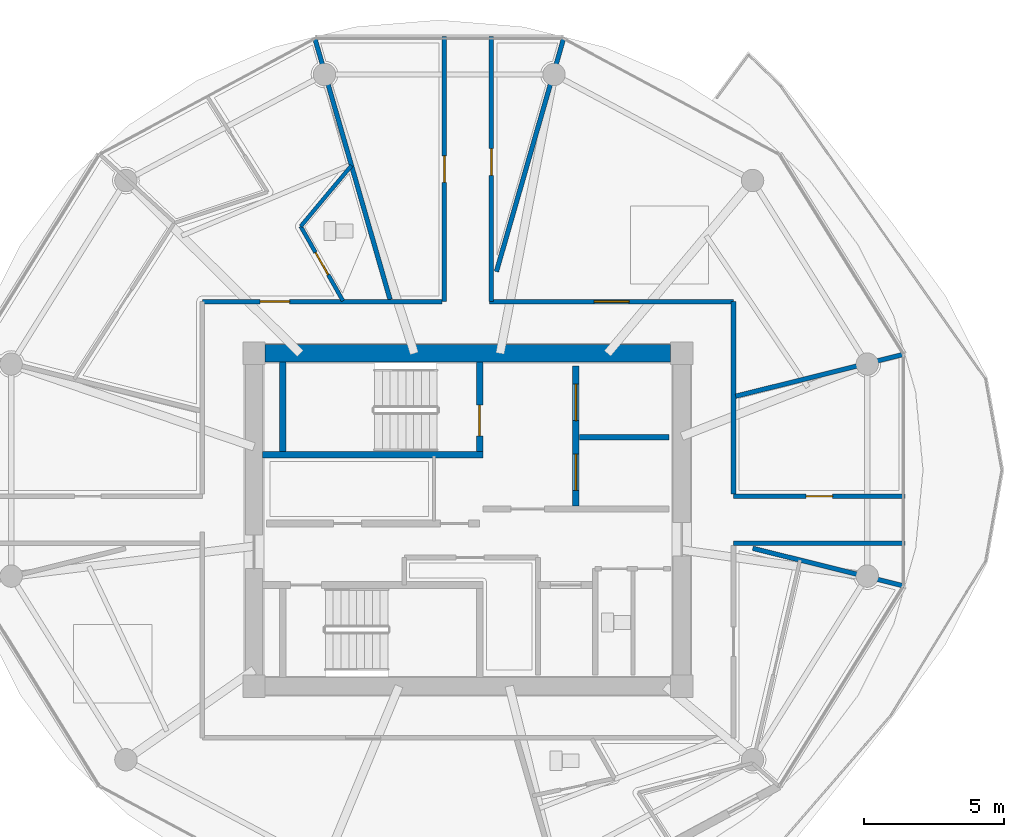
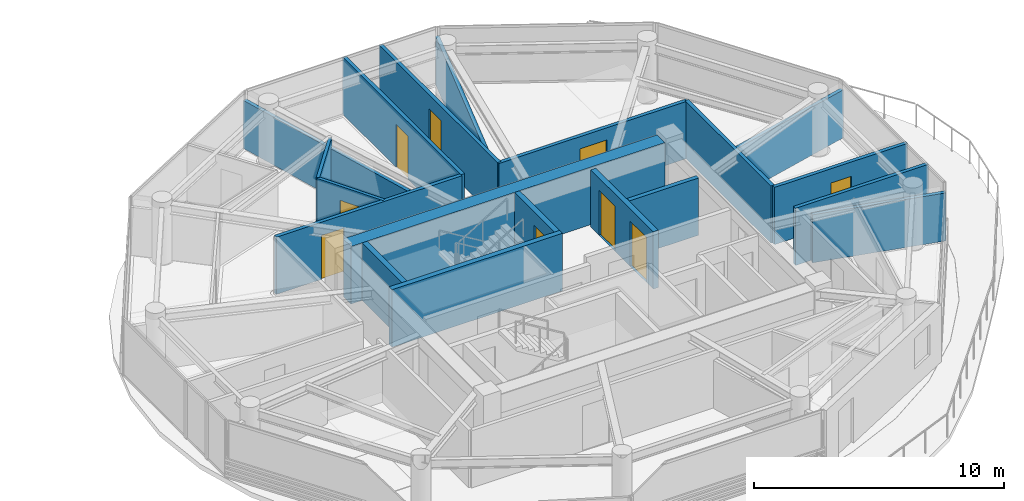
# One storey, part 17 of 25: 19 walls, 9 doors, 9 openings.
"""IFC4 building model written with IfcOpenShell, lengths in metres."""

from ifc_helpers import new_model, si_unit, direction, frame, frame_2d, origin, place, context, subcontext, project, spatial, rectangle, extrude, source, transform, mapped, material, layer, layer_set, type_object, type_shapes, element, fill, save


model = new_model("IFC4")

# Units and contexts
model_context = context("Model", 3, precision=1e-05, world=origin(), true_north=direction((0.0, 1.0)))
body_context = subcontext(model_context, "Body", "Model", "MODEL_VIEW")
ifc_project = project(units=[si_unit("LENGTHUNIT", "METRE"), si_unit("AREAUNIT", "SQUARE_METRE"), si_unit("VOLUMEUNIT", "CUBIC_METRE"), si_unit("PLANEANGLEUNIT", "RADIAN"), si_unit("MASSUNIT", "GRAM", prefix="KILO")], contexts=[model_context])

# Site, building, storey
site_placement = place(None, origin())
site = spatial("IfcSite", under=ifc_project, at=site_placement, CompositionType="ELEMENT")
building_placement = place(site_placement, origin())
building = spatial("IfcBuilding", under=site, at=building_placement, Name="Norrkilde Senior Care Towers", CompositionType="ELEMENT")
storey_placement = place(building_placement, frame((0.0, 0.0, 161.75)))
storey = spatial("IfcBuildingStorey", under=building, at=storey_placement, Name="L50", CompositionType="ELEMENT", Elevation=161.75)

# Walls
ifc_material_1 = material(Name="Concrete C50/60", Category="concrete")
ifc_layer_1 = layer(ifc_material_1, 0.6201171875)
ifc_layer_set_1 = layer_set([ifc_layer_1], Name="Concrete C50/60")
wall_type_1 = type_object("IfcWallType", Name="Core Shear Wall Z3 620", PredefinedType="SHEAR", material=ifc_layer_set_1)
shared_shape_1 = source(origin(), body_context, "Body", "SweptSolid", [
    extrude(rectangle(XDim=14.5, YDim=0.6201171875, at=frame_2d((7.25, 0.0))), origin(), (0.0, 0.0, 1.0), 2.81005859375),
])
type_shapes(wall_type_1, [shared_shape_1])
wall_1_placement = place(storey_placement, frame((20.75, 5.949951171875, 0.0), z_axis=(0.0, 0.0, 1.0), x_axis=(1.0, 0.0, 0.0)))
element("IfcWall", 1, at=wall_1_placement, inside=storey, type_object=wall_type_1, Name="L50 Core E North Shear Wall", PredefinedType="SHEAR", context=body_context, shape_type="MappedRepresentation", body=[
    mapped(shared_shape_1, transform((0.0, 0.0, 0.0), x_axis=(1.0, 0.0, 0.0), y_axis=(0.0, 1.0, 0.0), z_axis=(0.0, 0.0, 1.0), scale=1.0)),
])
ifc_material_2 = material(Name="Concrete C45/55", Category="concrete")
ifc_layer_2 = layer(ifc_material_2, 0.239990234375)
ifc_layer_set_2 = layer_set([ifc_layer_2], Name="Concrete C45/55")
wall_type_2 = type_object("IfcWallType", Name="Shaft and Stair Enclosure Wall 240", PredefinedType="PARTITIONING", material=ifc_layer_set_2)
shared_shape_2 = source(origin(), body_context, "Body", "SweptSolid", [
    extrude(rectangle(XDim=7.880126953125, YDim=0.239990234375, at=frame_2d((3.93994140625, 0.0))), origin(), (0.0, 0.0, 1.0), 2.81005859375),
])
wall_2_placement = place(storey_placement, frame((20.659912109375, 2.330078125, 0.0), z_axis=(0.0, 0.0, 1.0), x_axis=(1.0, 0.0, 0.0)))
element("IfcWall", 2, at=wall_2_placement, inside=storey, type_object=wall_type_2, Name="WL-INT-L50-E-ST1S", PredefinedType="PARTITIONING", context=body_context, shape_type="MappedRepresentation", body=[
    mapped(shared_shape_2, transform((0.0, 0.0, 0.0), x_axis=(1.0, 0.0, 0.0), y_axis=(0.0, 1.0, 0.0), z_axis=(0.0, 0.0, 1.0), scale=1.0)),
])
shared_shape_3 = source(origin(), body_context, "Body", "SweptSolid", [
    extrude(rectangle(XDim=3.18994140625, YDim=0.239990234375, at=frame_2d((1.594970703125, 0.0))), origin(), (0.0, 0.0, 1.0), 2.81005859375),
])
type_shapes(wall_type_2, [shared_shape_2, shared_shape_3])
wall_3_placement = place(storey_placement, frame((21.3798828125, 2.449951171875, 0.0), z_axis=(0.0, 0.0, 1.0), x_axis=(0.0, 1.0, 0.0)))
element("IfcWall", 3, at=wall_3_placement, inside=storey, type_object=wall_type_2, Name="WL-INT-L50-E-ST1W", PredefinedType="PARTITIONING", context=body_context, shape_type="MappedRepresentation", body=[
    mapped(shared_shape_3, transform((0.0, 0.0, 0.0), x_axis=(1.0, 0.0, 0.0), y_axis=(0.0, 1.0, 0.0), z_axis=(0.0, 0.0, 1.0), scale=1.0)),
])

# Wall, opening, door
wall_4_placement = place(storey_placement, frame((28.419921875, 2.449951171875, 0.0), z_axis=(0.0, 0.0, 1.0), x_axis=(0.0, 1.0, 0.0)))
wall_4 = element("IfcWall", 4, at=wall_4_placement, inside=storey, type_object=wall_type_2, Name="WL-INT-L50-E-ST1E", PredefinedType="PARTITIONING", context=body_context, shape_type="MappedRepresentation", body=[
    mapped(shared_shape_3, transform((0.0, 0.0, 0.0), x_axis=(1.0, 0.0, 0.0), y_axis=(0.0, 1.0, 0.0), z_axis=(0.0, 0.0, 1.0), scale=1.0)),
])
opening_1_placement = place(wall_4_placement, frame((0.550048828125, 0.0, 0.0)))
opening_1 = element("IfcOpeningElement", 5, at=opening_1_placement, cuts=wall_4, Name="Opening D-03", PredefinedType="OPENING", context=body_context, shape_type="SweptSolid", body=[
    extrude(rectangle(XDim=1.10009765625, YDim=2.14990234375, at=frame_2d((0.550048828125, 1.074951171875))), frame((0.0, 0.1298828125, 0.0), z_axis=(0.0, -1.0, 0.0), x_axis=(1.0, 0.0, 0.0)), (0.0, 0.0, 1.0), 0.260009765625),
])
ifc_material_3 = material(Name="Galvanised Painted Steel", Category="steel")
door_type_1 = type_object("IfcDoorType", Name="Stairwell Protected Fire Door 1100x2150", OperationType="NOTDEFINED", PredefinedType="DOOR", material=ifc_material_3)
shared_shape_4 = source(origin(), body_context, "Body", "SweptSolid", [
    extrude(rectangle(XDim=1.10009765625, YDim=2.14990234375, at=frame_2d((0.550048828125, 1.074951171875))), frame((0.0, 0.02490234375, 0.0), z_axis=(0.0, -1.0, 0.0), x_axis=(1.0, 0.0, 0.0)), (0.0, 0.0, 1.0), 0.050048828125),
])
type_shapes(door_type_1, [shared_shape_4])
door_1_placement = place(opening_1_placement, origin())
door_1 = element("IfcDoor", 6, at=door_1_placement, inside=storey, type_object=door_type_1, Name="L50 Stair E1 Fire Door", OperationType="SINGLE_SWING_LEFT", OverallHeight=2.14990234375, OverallWidth=1.10009765625, PredefinedType="DOOR", context=body_context, shape_type="MappedRepresentation", body=[
    mapped(shared_shape_4, transform((0.0, 0.0, 0.0), x_axis=(1.0, 0.0, 0.0), y_axis=(0.0, 1.0, 0.0), z_axis=(0.0, 0.0, 1.0), scale=1.0)),
])
fill(opening_1, door_1)

# Wall, openings, doors
ifc_layer_3 = layer(ifc_material_2, 0.239990234375)
ifc_layer_set_3 = layer_set([ifc_layer_3], Name="Concrete C45/55")
wall_type_3 = type_object("IfcWallType", Name="Lift and Plant Rated Enclosure Partition 240", PredefinedType="PARTITIONING", material=ifc_layer_set_3)
shared_shape_5 = source(origin(), body_context, "Body", "SweptSolid", [
    extrude(rectangle(XDim=5.0, YDim=0.239990234375, at=frame_2d((2.5, 0.0))), origin(), (0.0, 0.0, 1.0), 2.794921875),
])
type_shapes(wall_type_3, [shared_shape_5])
wall_5_placement = place(storey_placement, frame((31.860107421875, 0.5, 0.0), z_axis=(0.0, 0.0, 1.0), x_axis=(0.0, 1.0, 0.0)))
wall_5 = element("IfcWall", 7, at=wall_5_placement, inside=storey, type_object=wall_type_3, Name="WL-INT-L50-E-FFLE", PredefinedType="PARTITIONING", context=body_context, shape_type="MappedRepresentation", body=[
    mapped(shared_shape_5, transform((0.0, 0.0, 0.0), x_axis=(1.0, 0.0, 0.0), y_axis=(0.0, 1.0, 0.0), z_axis=(0.0, 0.0, 1.0), scale=1.0)),
])
opening_2_placement = place(wall_5_placement, frame((3.050048828125, 0.0, 0.0)))
opening_2 = element("IfcOpeningElement", 8, at=opening_2_placement, cuts=wall_5, Name="Opening LD-02", PredefinedType="OPENING", context=body_context, shape_type="SweptSolid", body=[
    extrude(rectangle(XDim=1.300048828125, YDim=2.199951171875, at=frame_2d((0.64990234375, 1.10009765625))), frame((0.0, 0.1298828125, 0.0), z_axis=(0.0, -1.0, 0.0), x_axis=(1.0, 0.0, 0.0)), (0.0, 0.0, 1.0), 0.260009765625),
])
opening_3_placement = place(wall_5_placement, frame((0.550048828125, 0.0, 0.0)))
opening_3 = element("IfcOpeningElement", 9, at=opening_3_placement, cuts=wall_5, Name="Opening LD-02", PredefinedType="OPENING", context=body_context, shape_type="SweptSolid", body=[
    extrude(rectangle(XDim=1.300048828125, YDim=2.199951171875, at=frame_2d((0.64990234375, 1.10009765625))), frame((0.0, 0.1298828125, 0.0), z_axis=(0.0, -1.0, 0.0), x_axis=(1.0, 0.0, 0.0)), (0.0, 0.0, 1.0), 0.260009765625),
])
ifc_material_4 = material(Name="Stainless Steel", Category="steel")
door_type_2 = type_object("IfcDoorType", Name="Stretcher and FFL Landing Sliding Door 1300x2200", OperationType="NOTDEFINED", PredefinedType="DOOR", material=ifc_material_4)
shared_shape_6 = source(origin(), body_context, "Body", "SweptSolid", [
    extrude(rectangle(XDim=1.300048828125, YDim=2.199951171875, at=frame_2d((0.64990234375, 1.10009765625))), frame((0.0, 0.02490234375, 0.0), z_axis=(0.0, -1.0, 0.0), x_axis=(1.0, 0.0, 0.0)), (0.0, 0.0, 1.0), 0.050048828125),
])
type_shapes(door_type_2, [shared_shape_6])
door_2_placement = place(opening_2_placement, origin())
door_2 = element("IfcDoor", 10, at=door_2_placement, inside=storey, type_object=door_type_2, Name="L50 Firefighting Lift E1 Landing Door", OperationType="SLIDING_TO_LEFT", OverallHeight=2.199951171875, OverallWidth=1.300048828125, PredefinedType="DOOR", context=body_context, shape_type="MappedRepresentation", body=[
    mapped(shared_shape_6, transform((0.0, 0.0, 0.0), x_axis=(1.0, 0.0, 0.0), y_axis=(0.0, 1.0, 0.0), z_axis=(0.0, 0.0, 1.0), scale=1.0)),
])
fill(opening_2, door_2)
door_3_placement = place(opening_3_placement, origin())
door_3 = element("IfcDoor", 11, at=door_3_placement, inside=storey, type_object=door_type_2, Name="L50 Stretcher Lift E1 Landing Door", OperationType="SLIDING_TO_RIGHT", OverallHeight=2.199951171875, OverallWidth=1.300048828125, PredefinedType="DOOR", context=body_context, shape_type="MappedRepresentation", body=[
    mapped(shared_shape_6, transform((0.0, 0.0, 0.0), x_axis=(1.0, 0.0, 0.0), y_axis=(0.0, 1.0, 0.0), z_axis=(0.0, 0.0, 1.0), scale=1.0)),
])
fill(opening_3, door_3)

# Walls
ifc_layer_4 = layer(ifc_material_2, 0.199951171875)
ifc_layer_set_4 = layer_set([ifc_layer_4], Name="Concrete C45/55")
wall_type_4 = type_object("IfcWallType", Name="Shaft Division and Plant Partition 200", PredefinedType="PARTITIONING", material=ifc_layer_set_4)
shared_shape_7 = source(origin(), body_context, "Body", "SweptSolid", [
    extrude(rectangle(XDim=3.199951171875, YDim=0.199951171875, at=frame_2d((1.60009765625, 0.0))), origin(), (0.0, 0.0, 1.0), 2.794921875),
])
type_shapes(wall_type_4, [shared_shape_7])
wall_6_placement = place(storey_placement, frame((32.0, 2.949951171875, 0.0), z_axis=(0.0, 0.0, 1.0), x_axis=(1.0, 0.0, 0.0)))
element("IfcWall", 12, at=wall_6_placement, inside=storey, type_object=wall_type_4, Name="WL-INT-L50-E-FFLDIV", PredefinedType="PARTITIONING", context=body_context, shape_type="MappedRepresentation", body=[
    mapped(shared_shape_7, transform((0.0, 0.0, 0.0), x_axis=(1.0, 0.0, 0.0), y_axis=(0.0, 1.0, 0.0), z_axis=(0.0, 0.0, 1.0), scale=1.0)),
])
ifc_material_5 = material(Name="Gypsum Acoustic Board")
ifc_layer_5 = layer(ifc_material_5, 0.1650390625)
ifc_layer_set_5 = layer_set([ifc_layer_5], Name="Gypsum Acoustic Board")
wall_type_5 = type_object("IfcWallType", Name="Corridor Rated Partition 165", PredefinedType="PARTITIONING", material=ifc_layer_set_5)
shared_shape_8 = source(origin(), body_context, "Body", "SweptSolid", [
    extrude(rectangle(XDim=9.73046875, YDim=0.1650390625, at=frame_2d((4.865234375, 0.0))), origin(), (0.0, 0.0, 1.0), 2.344970703125),
])
wall_7_placement = place(storey_placement, frame((25.216552734375, 7.8798828125, 0.0), z_axis=(0.0, 0.0, 1.0), x_axis=(-0.27679492614, 0.960929013436, 0.0)))
element("IfcWall", 13, at=wall_7_placement, inside=storey, type_object=wall_type_5, Name="WL-INT-L50-E-DEM-03-0", PredefinedType="PARTITIONING", context=body_context, shape_type="MappedRepresentation", body=[
    mapped(shared_shape_8, transform((0.0, 0.0, 0.0), x_axis=(1.0, 0.0, 0.0), y_axis=(0.0, 1.0, 0.0), z_axis=(0.0, 0.0, 1.0), scale=1.0)),
])

# Wall, opening, door
shared_shape_9 = source(origin(), body_context, "Body", "SweptSolid", [
    extrude(rectangle(XDim=8.719482421875, YDim=0.1650390625, at=frame_2d((4.35986328125, 0.0))), origin(), (0.0, 0.0, 1.0), 2.794921875),
])
wall_8_placement = place(storey_placement, frame((28.780517578125, 7.800048828125, 0.0), z_axis=(0.0, 0.0, 1.0), x_axis=(1.0, 0.0, 0.0)))
wall_8 = element("IfcWall", 14, at=wall_8_placement, inside=storey, type_object=wall_type_5, Name="WL-INT-L50-E-CRW-N-1", PredefinedType="PARTITIONING", context=body_context, shape_type="MappedRepresentation", body=[
    mapped(shared_shape_9, transform((0.0, 0.0, 0.0), x_axis=(1.0, 0.0, 0.0), y_axis=(0.0, 1.0, 0.0), z_axis=(0.0, 0.0, 1.0), scale=1.0)),
])
opening_4_placement = place(wall_8_placement, frame((3.73486328125, 0.0, 0.0)))
opening_4 = element("IfcOpeningElement", 15, at=opening_4_placement, cuts=wall_8, Name="Opening D-05", PredefinedType="OPENING", context=body_context, shape_type="SweptSolid", body=[
    extrude(rectangle(XDim=1.25, YDim=2.199951171875, at=frame_2d((0.625, 1.10009765625))), frame((0.0, 0.092529296875, 0.0), z_axis=(0.0, -1.0, 0.0), x_axis=(1.0, 0.0, 0.0)), (0.0, 0.0, 1.0), 0.18505859375),
])
ifc_material_6 = material(Name="Nordic Ash Timber", Category="wood")
door_type_3 = type_object("IfcDoorType", Name="Care Bedroom Bariatric Door 1250x2200", OperationType="NOTDEFINED", PredefinedType="DOOR", material=ifc_material_6)
shared_shape_10 = source(origin(), body_context, "Body", "SweptSolid", [
    extrude(rectangle(XDim=1.25, YDim=2.199951171875, at=frame_2d((0.625, 1.10009765625))), frame((0.0, 0.02490234375, 0.0), z_axis=(0.0, -1.0, 0.0), x_axis=(1.0, 0.0, 0.0)), (0.0, 0.0, 1.0), 0.050048828125),
])
type_shapes(door_type_3, [shared_shape_10])
door_4_placement = place(opening_4_placement, frame((1.25, 0.0, 0.0), z_axis=(0.0, 0.0, 1.0), x_axis=(-1.0, 0.0, 0.0)))
door_4 = element("IfcDoor", 16, at=door_4_placement, inside=storey, type_object=door_type_3, Name="L50 Senior Wellness Library Lounge Door", OperationType="SINGLE_SWING_LEFT", OverallHeight=2.199951171875, OverallWidth=1.25, PredefinedType="DOOR", context=body_context, shape_type="MappedRepresentation", body=[
    mapped(shared_shape_10, transform((0.0, 0.0, 0.0), x_axis=(1.0, 0.0, 0.0), y_axis=(0.0, 1.0, 0.0), z_axis=(0.0, 0.0, 1.0), scale=1.0)),
])
fill(opening_4, door_4)

# Walls
shared_shape_11 = source(origin(), body_context, "Body", "SweptSolid", [
    extrude(rectangle(XDim=8.695068359375, YDim=0.1650390625, at=frame_2d((4.34765625, 0.0))), origin(), (0.0, 0.0, 1.0), 2.344970703125),
])
wall_9_placement = place(storey_placement, frame((29.02001953125, 8.875, 0.0), z_axis=(0.0, 0.0, 1.0), x_axis=(0.276797231892, 0.960928349263, 0.0)))
element("IfcWall", 17, at=wall_9_placement, inside=storey, type_object=wall_type_5, Name="WL-INT-L50-E-DEM-02-0", PredefinedType="PARTITIONING", context=body_context, shape_type="MappedRepresentation", body=[
    mapped(shared_shape_11, transform((0.0, 0.0, 0.0), x_axis=(1.0, 0.0, 0.0), y_axis=(0.0, 1.0, 0.0), z_axis=(0.0, 0.0, 1.0), scale=1.0)),
])
shared_shape_12 = source(origin(), body_context, "Body", "SweptSolid", [
    extrude(rectangle(XDim=6.192626953125, YDim=0.1650390625, at=frame_2d((3.09619140625, 0.0))), origin(), (0.0, 0.0, 1.0), 2.344970703125),
])
wall_10_placement = place(storey_placement, frame((37.580078125, 4.418701171875, 0.0), z_axis=(0.0, 0.0, 1.0), x_axis=(0.970309243466, 0.241867674657, 0.0)))
element("IfcWall", 18, at=wall_10_placement, inside=storey, type_object=wall_type_5, Name="WL-INT-L50-E-DEM-00-0", PredefinedType="PARTITIONING", context=body_context, shape_type="MappedRepresentation", body=[
    mapped(shared_shape_12, transform((0.0, 0.0, 0.0), x_axis=(1.0, 0.0, 0.0), y_axis=(0.0, 1.0, 0.0), z_axis=(0.0, 0.0, 1.0), scale=1.0)),
])
shared_shape_13 = source(origin(), body_context, "Body", "SweptSolid", [
    extrude(rectangle(XDim=5.564208984375, YDim=0.1650390625, at=frame_2d((2.7822265625, 0.0))), origin(), (0.0, 0.0, 1.0), 2.344970703125),
])
wall_11_placement = place(storey_placement, frame((38.18994140625, -1.02001953125, 0.0), z_axis=(0.0, 0.0, 1.0), x_axis=(0.97031260977, -0.241854169533, 0.0)))
element("IfcWall", 19, at=wall_11_placement, inside=storey, type_object=wall_type_5, Name="WL-INT-L50-E-DEM-11-0", PredefinedType="PARTITIONING", context=body_context, shape_type="MappedRepresentation", body=[
    mapped(shared_shape_13, transform((0.0, 0.0, 0.0), x_axis=(1.0, 0.0, 0.0), y_axis=(0.0, 1.0, 0.0), z_axis=(0.0, 0.0, 1.0), scale=1.0)),
])

# Wall, opening, door
shared_shape_14 = source(origin(), body_context, "Body", "SweptSolid", [
    extrude(rectangle(XDim=8.580078125, YDim=0.1650390625, at=frame_2d((4.2900390625, 0.0))), origin(), (0.0, 0.0, 1.0), 2.794921875),
])
wall_12_placement = place(storey_placement, frame((18.5, 7.800048828125, 0.0), z_axis=(0.0, 0.0, 1.0), x_axis=(1.0, 0.0, 0.0)))
wall_12 = element("IfcWall", 20, at=wall_12_placement, inside=storey, type_object=wall_type_5, Name="WL-INT-L50-E-CRW-N-0", PredefinedType="PARTITIONING", context=body_context, shape_type="MappedRepresentation", body=[
    mapped(shared_shape_14, transform((0.0, 0.0, 0.0), x_axis=(1.0, 0.0, 0.0), y_axis=(0.0, 1.0, 0.0), z_axis=(0.0, 0.0, 1.0), scale=1.0)),
])
opening_5_placement = place(wall_12_placement, frame((2.07177734375, 0.0, 0.0)))
opening_5 = element("IfcOpeningElement", 21, at=opening_5_placement, cuts=wall_12, Name="Opening D-06", PredefinedType="OPENING", context=body_context, shape_type="SweptSolid", body=[
    extrude(rectangle(XDim=1.050048828125, YDim=2.14990234375, at=frame_2d((0.52490234375, 1.074951171875))), frame((0.0, 0.092529296875, 0.0), z_axis=(0.0, -1.0, 0.0), x_axis=(1.0, 0.0, 0.0)), (0.0, 0.0, 1.0), 0.18505859375),
])
door_type_4 = type_object("IfcDoorType", Name="Apartment Entrance Fire Door 1050x2150", OperationType="NOTDEFINED", PredefinedType="DOOR", material=ifc_material_6)
shared_shape_15 = source(origin(), body_context, "Body", "SweptSolid", [
    extrude(rectangle(XDim=1.050048828125, YDim=2.14990234375, at=frame_2d((0.52490234375, 1.074951171875))), frame((0.0, 0.02490234375, 0.0), z_axis=(0.0, -1.0, 0.0), x_axis=(1.0, 0.0, 0.0)), (0.0, 0.0, 1.0), 0.050048828125),
])
type_shapes(door_type_4, [shared_shape_15])
door_5_placement = place(opening_5_placement, frame((1.050048828125, 0.0, 0.0), z_axis=(0.0, 0.0, 1.0), x_axis=(-1.0, 0.0, 0.0)))
door_5 = element("IfcDoor", 22, at=door_5_placement, inside=storey, type_object=door_type_4, Name="Apartment 50B Entrance Door", OperationType="SINGLE_SWING_RIGHT", OverallHeight=2.14990234375, OverallWidth=1.050048828125, PredefinedType="DOOR", context=body_context, shape_type="MappedRepresentation", body=[
    mapped(shared_shape_15, transform((0.0, 0.0, 0.0), x_axis=(1.0, 0.0, 0.0), y_axis=(0.0, 1.0, 0.0), z_axis=(0.0, 0.0, 1.0), scale=1.0)),
])
fill(opening_5, door_5)

# Wall
shared_shape_16 = source(origin(), body_context, "Body", "SweptSolid", [
    extrude(rectangle(XDim=6.880126953125, YDim=0.1650390625, at=frame_2d((3.43994140625, 0.0))), origin(), (0.0, 0.0, 1.0), 2.794921875),
])
wall_13_placement = place(storey_placement, frame((37.5, 7.800048828125, 0.0), z_axis=(0.0, 0.0, 1.0), x_axis=(0.0, -1.0, 0.0)))
element("IfcWall", 23, at=wall_13_placement, inside=storey, type_object=wall_type_5, Name="WL-INT-L50-E-CRW-E-0", PredefinedType="PARTITIONING", context=body_context, shape_type="MappedRepresentation", body=[
    mapped(shared_shape_16, transform((0.0, 0.0, 0.0), x_axis=(1.0, 0.0, 0.0), y_axis=(0.0, 1.0, 0.0), z_axis=(0.0, 0.0, 1.0), scale=1.0)),
])

# Wall, opening, door
shared_shape_17 = source(origin(), body_context, "Body", "SweptSolid", [
    extrude(rectangle(XDim=9.480224609375, YDim=0.1650390625, at=frame_2d((4.740234375, 0.0))), origin(), (0.0, 0.0, 1.0), 2.794921875),
])
wall_14_placement = place(storey_placement, frame((27.159912109375, 7.800048828125, 0.0), z_axis=(0.0, 0.0, 1.0), x_axis=(0.0, 1.0, 0.0)))
wall_14 = element("IfcWall", 24, at=wall_14_placement, inside=storey, type_object=wall_type_5, Name="WL-INT-L50-E-SPK-N1-0", PredefinedType="PARTITIONING", context=body_context, shape_type="MappedRepresentation", body=[
    mapped(shared_shape_17, transform((0.0, 0.0, 0.0), x_axis=(1.0, 0.0, 0.0), y_axis=(0.0, 1.0, 0.0), z_axis=(0.0, 0.0, 1.0), scale=1.0)),
])
opening_6_placement = place(wall_14_placement, frame((4.26513671875, 0.0, 0.0)))
opening_6 = element("IfcOpeningElement", 25, at=opening_6_placement, cuts=wall_14, Name="Opening D-07", PredefinedType="OPENING", context=body_context, shape_type="SweptSolid", body=[
    extrude(rectangle(XDim=0.949951171875, YDim=2.10009765625, at=frame_2d((0.47509765625, 1.050048828125))), frame((0.0, 0.092529296875, 0.0), z_axis=(0.0, -1.0, 0.0), x_axis=(1.0, 0.0, 0.0)), (0.0, 0.0, 1.0), 0.18505859375),
])
door_type_5 = type_object("IfcDoorType", Name="Internal Suite Bedroom Door 950x2100", OperationType="NOTDEFINED", PredefinedType="DOOR", material=ifc_material_6)
shared_shape_18 = source(origin(), body_context, "Body", "SweptSolid", [
    extrude(rectangle(XDim=0.949951171875, YDim=2.10009765625, at=frame_2d((0.47509765625, 1.050048828125))), frame((0.0, 0.02490234375, 0.0), z_axis=(0.0, -1.0, 0.0), x_axis=(1.0, 0.0, 0.0)), (0.0, 0.0, 1.0), 0.050048828125),
])
type_shapes(door_type_5, [shared_shape_18])
door_6_placement = place(opening_6_placement, frame((0.949951171875, 0.0, 0.0), z_axis=(0.0, 0.0, 1.0), x_axis=(-1.0, 0.0, 0.0)))
door_6 = element("IfcDoor", 26, at=door_6_placement, inside=storey, type_object=door_type_5, Name="L50 Sun Reading Lounge 3 Door", OperationType="SINGLE_SWING_RIGHT", OverallHeight=2.10009765625, OverallWidth=0.949951171875, PredefinedType="DOOR", context=body_context, shape_type="MappedRepresentation", body=[
    mapped(shared_shape_18, transform((0.0, 0.0, 0.0), x_axis=(1.0, 0.0, 0.0), y_axis=(0.0, 1.0, 0.0), z_axis=(0.0, 0.0, 1.0), scale=1.0)),
])
fill(opening_6, door_6)

wall_15_placement = place(storey_placement, frame((28.840087890625, 17.2802734375, 0.0), z_axis=(0.0, 0.0, 1.0), x_axis=(0.0, -1.0, 0.0)))
wall_15 = element("IfcWall", 27, at=wall_15_placement, inside=storey, type_object=wall_type_5, Name="WL-INT-L50-E-SPK-N2-0", PredefinedType="PARTITIONING", context=body_context, shape_type="MappedRepresentation", body=[
    mapped(shared_shape_17, transform((0.0, 0.0, 0.0), x_axis=(1.0, 0.0, 0.0), y_axis=(0.0, 1.0, 0.0), z_axis=(0.0, 0.0, 1.0), scale=1.0)),
])
opening_7_placement = place(wall_15_placement, frame((4.009765625, 0.0, 0.0)))
opening_7 = element("IfcOpeningElement", 28, at=opening_7_placement, cuts=wall_15, Name="Opening D-07", PredefinedType="OPENING", context=body_context, shape_type="SweptSolid", body=[
    extrude(rectangle(XDim=0.949951171875, YDim=2.10009765625, at=frame_2d((0.47509765625, 1.050048828125))), frame((0.0, 0.092529296875, 0.0), z_axis=(0.0, -1.0, 0.0), x_axis=(1.0, 0.0, 0.0)), (0.0, 0.0, 1.0), 0.18505859375),
])
door_7_placement = place(opening_7_placement, frame((0.949951171875, 0.0, 0.0), z_axis=(0.0, 0.0, 1.0), x_axis=(-1.0, 0.0, 0.0)))
door_7 = element("IfcDoor", 29, at=door_7_placement, inside=storey, type_object=door_type_5, Name="L50 Sun Reading Lounge 4 Door", OperationType="SINGLE_SWING_LEFT", OverallHeight=2.10009765625, OverallWidth=0.949951171875, PredefinedType="DOOR", context=body_context, shape_type="MappedRepresentation", body=[
    mapped(shared_shape_18, transform((0.0, 0.0, 0.0), x_axis=(1.0, 0.0, 0.0), y_axis=(0.0, 1.0, 0.0), z_axis=(0.0, 0.0, 1.0), scale=1.0)),
])
fill(opening_7, door_7)

shared_shape_19 = source(origin(), body_context, "Body", "SweptSolid", [
    extrude(rectangle(XDim=6.138916015625, YDim=0.1650390625, at=frame_2d((3.0693359375, 0.0))), origin(), (0.0, 0.0, 1.0), 2.794921875),
])
type_shapes(wall_type_5, [shared_shape_8, shared_shape_9, shared_shape_11, shared_shape_12, shared_shape_13, shared_shape_14, shared_shape_16, shared_shape_17, shared_shape_19])
wall_16_placement = place(storey_placement, frame((37.5, 0.840087890625, 0.0), z_axis=(0.0, 0.0, 1.0), x_axis=(1.0, 0.0, 0.0)))
wall_16 = element("IfcWall", 30, at=wall_16_placement, inside=storey, type_object=wall_type_5, Name="WL-INT-L50-E-SPK-E1-0", PredefinedType="PARTITIONING", context=body_context, shape_type="MappedRepresentation", body=[
    mapped(shared_shape_19, transform((0.0, 0.0, 0.0), x_axis=(1.0, 0.0, 0.0), y_axis=(0.0, 1.0, 0.0), z_axis=(0.0, 0.0, 1.0), scale=1.0)),
])
opening_8_placement = place(wall_16_placement, frame((2.594482421875, 0.0, 0.0)))
opening_8 = element("IfcOpeningElement", 31, at=opening_8_placement, cuts=wall_16, Name="Opening D-07", PredefinedType="OPENING", context=body_context, shape_type="SweptSolid", body=[
    extrude(rectangle(XDim=0.949951171875, YDim=2.10009765625, at=frame_2d((0.47509765625, 1.050048828125))), frame((0.0, 0.092529296875, 0.0), z_axis=(0.0, -1.0, 0.0), x_axis=(1.0, 0.0, 0.0)), (0.0, 0.0, 1.0), 0.18505859375),
])
door_8_placement = place(opening_8_placement, frame((0.949951171875, 0.0, 0.0), z_axis=(0.0, 0.0, 1.0), x_axis=(-1.0, 0.0, 0.0)))
door_8 = element("IfcDoor", 32, at=door_8_placement, inside=storey, type_object=door_type_5, Name="L50 Sun Reading Lounge 5 Door", OperationType="SINGLE_SWING_RIGHT", OverallHeight=2.10009765625, OverallWidth=0.949951171875, PredefinedType="DOOR", context=body_context, shape_type="MappedRepresentation", body=[
    mapped(shared_shape_18, transform((0.0, 0.0, 0.0), x_axis=(1.0, 0.0, 0.0), y_axis=(0.0, 1.0, 0.0), z_axis=(0.0, 0.0, 1.0), scale=1.0)),
])
fill(opening_8, door_8)

# Wall
wall_17_placement = place(storey_placement, frame((43.638916015625, -0.840087890625, 0.0), z_axis=(0.0, 0.0, 1.0), x_axis=(-1.0, 0.0, 0.0)))
element("IfcWall", 33, at=wall_17_placement, inside=storey, type_object=wall_type_5, Name="WL-INT-L50-E-SPK-E2-0", PredefinedType="PARTITIONING", context=body_context, shape_type="MappedRepresentation", body=[
    mapped(shared_shape_19, transform((0.0, 0.0, 0.0), x_axis=(1.0, 0.0, 0.0), y_axis=(0.0, 1.0, 0.0), z_axis=(0.0, 0.0, 1.0), scale=1.0)),
])

# Wall, opening, door
ifc_layer_6 = layer(ifc_material_5, 0.139892578125)
ifc_layer_set_6 = layer_set([ifc_layer_6], Name="Gypsum Acoustic Board")
wall_type_6 = type_object("IfcWallType", Name="En-suite Wet Room Wall 140", PredefinedType="PARTITIONING", material=ifc_layer_set_6)
shared_shape_20 = source(origin(), body_context, "Body", "SweptSolid", [
    extrude(rectangle(XDim=3.06396484375, YDim=0.139892578125, at=frame_2d((1.531982421875, 0.0))), origin(), (0.0, 0.0, 1.0), 2.794921875),
])
wall_18_placement = place(storey_placement, frame((23.5341796875, 7.830078125, 0.0), z_axis=(0.0, 0.0, 1.0), x_axis=(-0.494103864861, 0.869402881712, 0.0)))
wall_18 = element("IfcWall", 34, at=wall_18_placement, inside=storey, type_object=wall_type_6, Name="WL-INT-L50-E-UBTS-03", PredefinedType="PARTITIONING", context=body_context, shape_type="MappedRepresentation", body=[
    mapped(shared_shape_20, transform((0.0, 0.0, 0.0), x_axis=(1.0, 0.0, 0.0), y_axis=(0.0, 1.0, 0.0), z_axis=(0.0, 0.0, 1.0), scale=1.0)),
])
opening_9_placement = place(wall_18_placement, frame((1.072021484375, 0.0, 0.0)))
opening_9 = element("IfcOpeningElement", 35, at=opening_9_placement, cuts=wall_18, Name="Opening D-08", PredefinedType="OPENING", context=body_context, shape_type="SweptSolid", body=[
    extrude(rectangle(XDim=0.919921875, YDim=2.10009765625, at=frame_2d((0.4599609375, 1.050048828125))), frame((0.0, 0.079833984375, 0.0), z_axis=(0.0, -1.0, 0.0), x_axis=(1.0, 0.0, 0.0)), (0.0, 0.0, 1.0), 0.159912109375),
])
door_type_6 = type_object("IfcDoorType", Name="Accessible Wet Room Door 920x2100", OperationType="NOTDEFINED", PredefinedType="DOOR", material=ifc_material_6)
shared_shape_21 = source(origin(), body_context, "Body", "SweptSolid", [
    extrude(rectangle(XDim=0.919921875, YDim=2.10009765625, at=frame_2d((0.4599609375, 1.050048828125))), frame((0.0, 0.02490234375, 0.0), z_axis=(0.0, -1.0, 0.0), x_axis=(1.0, 0.0, 0.0)), (0.0, 0.0, 1.0), 0.050048828125),
])
type_shapes(door_type_6, [shared_shape_21])
door_9_placement = place(opening_9_placement, origin())
door_9 = element("IfcDoor", 36, at=door_9_placement, inside=storey, type_object=door_type_6, Name="Apartment 50B Bathroom Door", OperationType="SINGLE_SWING_LEFT", OverallHeight=2.10009765625, OverallWidth=0.919921875, PredefinedType="DOOR", context=body_context, shape_type="MappedRepresentation", body=[
    mapped(shared_shape_21, transform((0.0, 0.0, 0.0), x_axis=(1.0, 0.0, 0.0), y_axis=(0.0, 1.0, 0.0), z_axis=(0.0, 0.0, 1.0), scale=1.0)),
])
fill(opening_9, door_9)

# Wall
shared_shape_22 = source(origin(), body_context, "Body", "SweptSolid", [
    extrude(rectangle(XDim=2.83349609375, YDim=0.139892578125, at=frame_2d((1.416748046875, 0.0))), origin(), (0.0, 0.0, 1.0), 2.794921875),
])
type_shapes(wall_type_6, [shared_shape_20, shared_shape_22])
wall_19_placement = place(storey_placement, frame((22.020263671875, 10.493896484375, 0.0), z_axis=(0.0, 0.0, 1.0), x_axis=(0.64098072766, 0.767556972979, 0.0)))
element("IfcWall", 37, at=wall_19_placement, inside=storey, type_object=wall_type_6, Name="WL-INT-L50-E-UBTF-03", PredefinedType="PARTITIONING", context=body_context, shape_type="MappedRepresentation", body=[
    mapped(shared_shape_22, transform((0.0, 0.0, 0.0), x_axis=(1.0, 0.0, 0.0), y_axis=(0.0, 1.0, 0.0), z_axis=(0.0, 0.0, 1.0), scale=1.0)),
])

save(model, "model.ifc")
